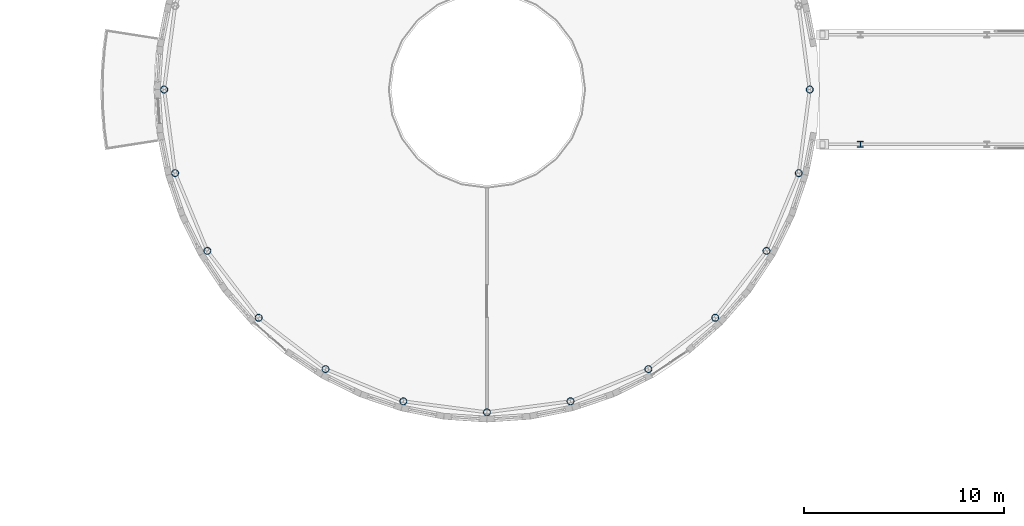
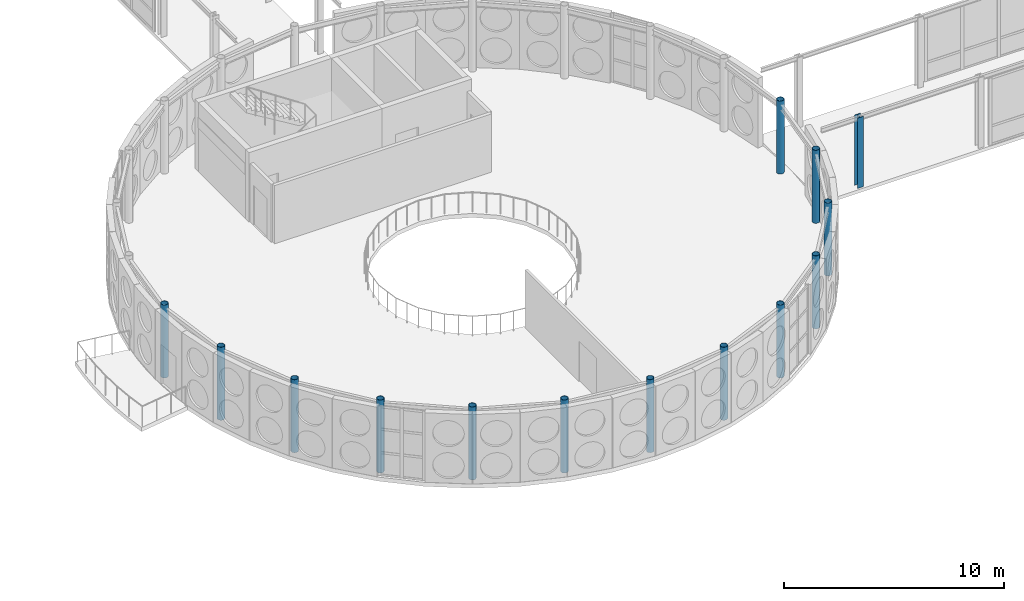
# One storey, part 5 of 165: 14 columns.
"""IFC4 building model written with IfcOpenShell, lengths in metres."""

from ifc_helpers import new_model, si_unit, direction, frame, origin, origin_2d, place, context, subcontext, project, spatial, hollow_circle, i_section, extrude, material, material_profile, profile_set, type_object, element, save


model = new_model("IFC4")

# Units and contexts
model_context = context("Model", 3, precision=1e-05, world=origin(), true_north=direction((0.0, 1.0)))
body_context = subcontext(model_context, "Body", "Model", "MODEL_VIEW")
ifc_project = project(units=[si_unit("LENGTHUNIT", "METRE"), si_unit("AREAUNIT", "SQUARE_METRE"), si_unit("VOLUMEUNIT", "CUBIC_METRE"), si_unit("PLANEANGLEUNIT", "RADIAN"), si_unit("MASSUNIT", "GRAM", prefix="KILO")], contexts=[model_context])

# Site, building, storey
site_placement = place(None, origin())
site = spatial("IfcSite", under=ifc_project, at=site_placement, CompositionType="ELEMENT")
building_placement = place(site_placement, origin())
building = spatial("IfcBuilding", under=site, at=building_placement, Name="Montecoro Central Library", CompositionType="ELEMENT")
storey_placement = place(building_placement, frame((0.0, 0.0, 5.10009765625)))
storey = spatial("IfcBuildingStorey", under=building, at=storey_placement, Name="L01", CompositionType="ELEMENT", Elevation=5.10009765625)

# Columns
ifc_material_1 = material(Name="Steel S355J2", Category="steel")
ifc_material_profile_1 = material_profile(ifc_material_1, hollow_circle(Radius=0.177734375, WallThickness=0.01611328125, at=origin_2d()), Name="CHS 355.6x16.0")
ifc_profile_set_1 = profile_set([ifc_material_profile_1], Name="Steel S355J2")
column_type_1 = type_object("IfcColumnType", Name="COL-CHS356", PredefinedType="COLUMN", material=ifc_profile_set_1)
for number, where, z_axis, x_axis, name in (
    (1, (107.780029296875, 35.39990234375, 0.0), (0.0, 0.0, 1.0), (1.0, 0.0, 0.0), "V1-L01-DCOL-01"),
    (2, (75.419921875, 35.39990234375, 0.0), (0.0, 0.0, 1.0), (1.0, 0.0, 0.0), "V1-L01-DCOL-13"),
    (3, (75.970947265625, 31.2119140625, 0.0), (0.0, 0.0, 1.0), (1.0, 0.0, 0.0), "V1-L01-DCOL-14"),
    (4, (77.587890625, 27.31005859375, 0.0), (0.0, 0.0, 1.0), (1.0, 0.0, 0.0), "V1-L01-DCOL-15"),
    (5, (80.158935546875, 23.958984375, 0.0), (0.0, 0.0, 1.0), (1.0, 0.0, 0.0), "V1-L01-DCOL-16"),
    (6, (83.510009765625, 21.387939453125, 0.0), (0.0, 0.0, 1.0), (1.0, 0.0, 0.0), "V1-L01-DCOL-17"),
    (7, (87.412109375, 19.77099609375, 0.0), (0.0, 0.0, 1.0), (1.0, 0.0, 0.0), "V1-L01-DCOL-18"),
    (8, (91.60009765625, 19.219970703125, 0.0), (0.0, 0.0, 1.0), (1.0, 0.0, 0.0), "V1-L01-DCOL-19"),
    (9, (95.7880859375, 19.77099609375, 0.0), (0.0, 0.0, 1.0), (1.0, 0.0, 0.0), "V1-L01-DCOL-20"),
    (10, (99.68994140625, 21.387939453125, 0.0), (0.0, 0.0, 1.0), (1.0, 0.0, 0.0), "V1-L01-DCOL-21"),
    (11, (103.041015625, 23.958984375, 0.0), (0.0, 0.0, 1.0), (1.0, 0.0, 0.0), "V1-L01-DCOL-22"),
    (12, (105.612060546875, 27.31005859375, 0.0), (0.0, 0.0, 1.0), (1.0, 0.0, 0.0), "V1-L01-DCOL-23"),
    (13, (107.22900390625, 31.2119140625, 0.0), (0.0, 0.0, 1.0), (1.0, 0.0, 0.0), "V1-L01-DCOL-24"),
):
    element("IfcColumn", number, at=place(storey_placement, frame(where, z_axis=z_axis, x_axis=x_axis)), inside=storey, type_object=column_type_1, Name=name, PredefinedType="COLUMN", context=body_context, shape_type="SweptSolid", body=[
        extrude(hollow_circle(Radius=0.177734375, WallThickness=0.01611328125, at=origin_2d()), origin(), (0.0, 0.0, 1.0), 4.054931640625),
    ])
ifc_material_2 = material(Name="Steel S355", Category="steel")
ifc_material_profile_2 = material_profile(ifc_material_2, i_section(OverallWidth=0.300048828125, OverallDepth=0.300048828125, WebThickness=0.010986328125, FlangeThickness=0.01904296875, at=origin_2d()), Name="HEB 300")
ifc_profile_set_2 = profile_set([ifc_material_profile_2], Name="Steel S355")
column_type_2 = type_object("IfcColumnType", Name="COL-HEB300", PredefinedType="COLUMN", material=ifc_profile_set_2)
column_placement = place(storey_placement, frame((110.320068359375, 32.64990234375, 0.0), z_axis=(0.0, 0.0, 1.0), x_axis=(1.0, 0.0, 0.0)))
element("IfcColumn", 14, at=column_placement, inside=storey, type_object=column_type_2, Name="BR-SE-L01-COL-1103-326", PredefinedType="COLUMN", context=body_context, shape_type="SweptSolid", body=[
    extrude(i_section(OverallWidth=0.300048828125, OverallDepth=0.300048828125, WebThickness=0.010986328125, FlangeThickness=0.01904296875, at=origin_2d()), origin(), (0.0, 0.0, 1.0), 3.907958984375),
])

save(model, "model.ifc")
